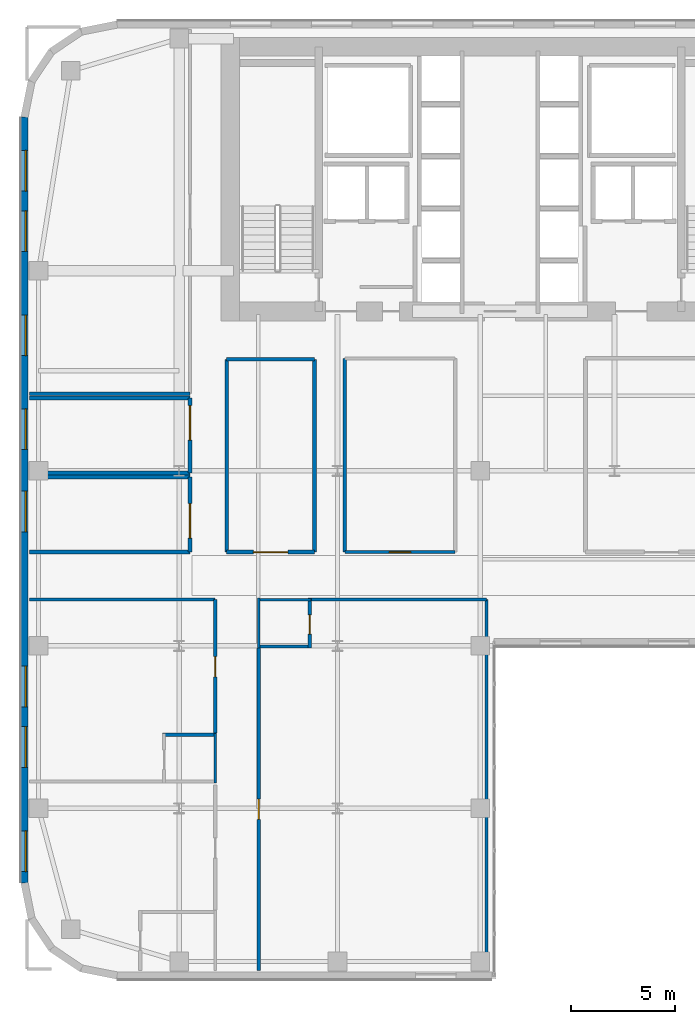
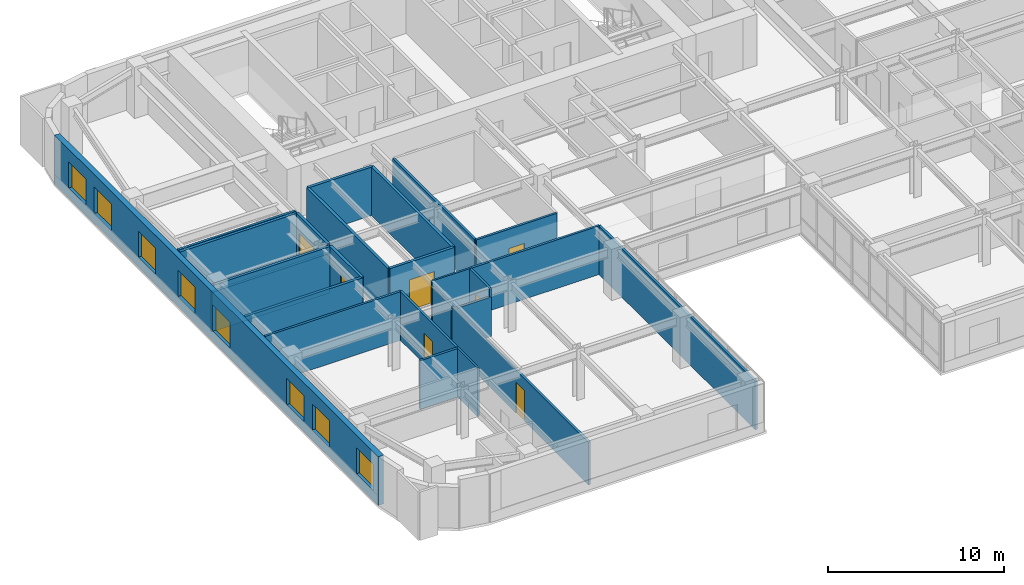
# One storey, part 14 of 24: 25 walls, 8 windows, 7 doors, 15 openings.
"""IFC4 building model written with IfcOpenShell, lengths in metres."""

from ifc_helpers import new_model, si_unit, direction, frame, frame_2d, origin, place, context, subcontext, project, spatial, rectangle, extrude, source, transform, mapped, material, layer, layer_set, type_object, type_shapes, element, fill, save


model = new_model("IFC4")

# Units and contexts
model_context = context("Model", 3, precision=1e-05, world=origin(), true_north=direction((0.0, 1.0)))
body_context = subcontext(model_context, "Body", "Model", "MODEL_VIEW")
ifc_project = project(units=[si_unit("LENGTHUNIT", "METRE"), si_unit("AREAUNIT", "SQUARE_METRE"), si_unit("VOLUMEUNIT", "CUBIC_METRE"), si_unit("PLANEANGLEUNIT", "RADIAN"), si_unit("MASSUNIT", "GRAM", prefix="KILO")], contexts=[model_context])

# Site, building, storey
site_placement = place(None, origin())
site = spatial("IfcSite", under=ifc_project, at=site_placement, CompositionType="ELEMENT")
building_placement = place(site_placement, origin())
building = spatial("IfcBuilding", under=site, at=building_placement, Name="Tolvann Quenvar Hotel", CompositionType="ELEMENT")
storey_placement = place(building_placement, frame((0.0, 0.0, 88.800048828125)))
storey = spatial("IfcBuildingStorey", under=building, at=storey_placement, Name="L22", CompositionType="ELEMENT", Elevation=88.800048828125)

# Wall, openings, windows
ifc_material_1 = material(Name="Kiln-fired red and buff architectural clay brickwork and terracotta masonry", Category="masonry")
ifc_layer_1 = layer(ifc_material_1, 0.35009765625)
ifc_layer_set_1 = layer_set([ifc_layer_1], Name="Kiln-fired red and buff architectural clay brickwork and terracotta masonry")
wall_type_1 = type_object("IfcWallType", Name="WALL_EXT_BRICK_350", PredefinedType="SOLIDWALL", material=ifc_layer_set_1)
wall_1_placement = place(storey_placement, frame((0.175048828125, 41.3828125, 0.0), z_axis=(0.0, 0.0, 1.0), x_axis=(0.0, -1.0, 0.0)))
wall_1 = element("IfcWall", 1, at=wall_1_placement, inside=storey, type_object=wall_type_1, Name="Exterior Chicago Brick Wall L22-E23", PredefinedType="SOLIDWALL", context=body_context, shape_type="SweptSolid", body=[
    extrude(rectangle(XDim=36.765625, YDim=0.35009765625, at=frame_2d((18.3828125, 0.0))), origin(), (0.0, 0.0, 1.0), 3.369873046875),
])
opening_1_placement = place(wall_1_placement, frame((1.60107421875, 0.0, 0.679931640625)))
opening_1 = element("IfcOpeningElement", 2, at=opening_1_placement, cuts=wall_1, Name="Opening W-10", PredefinedType="OPENING", context=body_context, shape_type="SweptSolid", body=[
    extrude(rectangle(XDim=1.949951171875, YDim=1.820068359375, at=frame_2d((0.97509765625, 0.91015625))), frame((0.0, 0.18505859375, 0.0), z_axis=(0.0, -1.0, 0.0), x_axis=(1.0, 0.0, 0.0)), (0.0, 0.0, 1.0), 0.3701171875),
])
opening_2_placement = place(wall_1_placement, frame((4.5029296875, 0.0, 0.679931640625)))
opening_2 = element("IfcOpeningElement", 3, at=opening_2_placement, cuts=wall_1, Name="Opening W-10", PredefinedType="OPENING", context=body_context, shape_type="SweptSolid", body=[
    extrude(rectangle(XDim=1.949951171875, YDim=1.820068359375, at=frame_2d((0.97509765625, 0.91015625))), frame((0.0, 0.18505859375, 0.0), z_axis=(0.0, -1.0, 0.0), x_axis=(1.0, 0.0, 0.0)), (0.0, 0.0, 1.0), 0.3701171875),
])
opening_3_placement = place(wall_1_placement, frame((9.50390625, 0.0, 0.679931640625)))
opening_3 = element("IfcOpeningElement", 4, at=opening_3_placement, cuts=wall_1, Name="Opening W-10", PredefinedType="OPENING", context=body_context, shape_type="SweptSolid", body=[
    extrude(rectangle(XDim=1.949951171875, YDim=1.820068359375, at=frame_2d((0.97509765625, 0.91015625))), frame((0.0, 0.18505859375, 0.0), z_axis=(0.0, -1.0, 0.0), x_axis=(1.0, 0.0, 0.0)), (0.0, 0.0, 1.0), 0.3701171875),
])
opening_4_placement = place(wall_1_placement, frame((14.006103515625, 0.0, 0.679931640625)))
opening_4 = element("IfcOpeningElement", 5, at=opening_4_placement, cuts=wall_1, Name="Opening W-10", PredefinedType="OPENING", context=body_context, shape_type="SweptSolid", body=[
    extrude(rectangle(XDim=1.949951171875, YDim=1.820068359375, at=frame_2d((0.97509765625, 0.91015625))), frame((0.0, 0.18505859375, 0.0), z_axis=(0.0, -1.0, 0.0), x_axis=(1.0, 0.0, 0.0)), (0.0, 0.0, 1.0), 0.3701171875),
])
opening_5_placement = place(wall_1_placement, frame((17.9580078125, 0.0, 0.679931640625)))
opening_5 = element("IfcOpeningElement", 6, at=opening_5_placement, cuts=wall_1, Name="Opening W-10", PredefinedType="OPENING", context=body_context, shape_type="SweptSolid", body=[
    extrude(rectangle(XDim=1.949951171875, YDim=1.820068359375, at=frame_2d((0.97509765625, 0.91015625))), frame((0.0, 0.18505859375, 0.0), z_axis=(0.0, -1.0, 0.0), x_axis=(1.0, 0.0, 0.0)), (0.0, 0.0, 1.0), 0.3701171875),
])
opening_6_placement = place(wall_1_placement, frame((26.361083984375, 0.0, 0.679931640625)))
opening_6 = element("IfcOpeningElement", 7, at=opening_6_placement, cuts=wall_1, Name="Opening W-10", PredefinedType="OPENING", context=body_context, shape_type="SweptSolid", body=[
    extrude(rectangle(XDim=1.949951171875, YDim=1.820068359375, at=frame_2d((0.97509765625, 0.91015625))), frame((0.0, 0.18505859375, 0.0), z_axis=(0.0, -1.0, 0.0), x_axis=(1.0, 0.0, 0.0)), (0.0, 0.0, 1.0), 0.3701171875),
])
opening_7_placement = place(wall_1_placement, frame((29.262939453125, 0.0, 0.679931640625)))
opening_7 = element("IfcOpeningElement", 8, at=opening_7_placement, cuts=wall_1, Name="Opening W-10", PredefinedType="OPENING", context=body_context, shape_type="SweptSolid", body=[
    extrude(rectangle(XDim=1.949951171875, YDim=1.820068359375, at=frame_2d((0.97509765625, 0.91015625))), frame((0.0, 0.18505859375, 0.0), z_axis=(0.0, -1.0, 0.0), x_axis=(1.0, 0.0, 0.0)), (0.0, 0.0, 1.0), 0.3701171875),
])
opening_8_placement = place(wall_1_placement, frame((34.264892578125, 0.0, 0.679931640625)))
opening_8 = element("IfcOpeningElement", 9, at=opening_8_placement, cuts=wall_1, Name="Opening W-10", PredefinedType="OPENING", context=body_context, shape_type="SweptSolid", body=[
    extrude(rectangle(XDim=1.949951171875, YDim=1.820068359375, at=frame_2d((0.97509765625, 0.91015625))), frame((0.0, 0.18505859375, 0.0), z_axis=(0.0, -1.0, 0.0), x_axis=(1.0, 0.0, 0.0)), (0.0, 0.0, 1.0), 0.3701171875),
])
ifc_material_2 = material(Name="Thermally broken bronze-anodised aluminium frame with double low-E glazing", Category="aluminium")
window_type = type_object("IfcWindowType", Name="WIN_CLB_1950x1850", PartitioningType="DOUBLE_PANEL_VERTICAL", PredefinedType="WINDOW", material=ifc_material_2)
shared_shape_1 = source(origin(), body_context, "Body", "SweptSolid", [
    extrude(rectangle(XDim=1.949951171875, YDim=1.820068359375, at=frame_2d((0.97509765625, 0.91015625))), frame((0.0, 0.090087890625, 0.0), z_axis=(0.0, -1.0, 0.0), x_axis=(1.0, 0.0, 0.0)), (0.0, 0.0, 1.0), 0.06005859375),
])
type_shapes(window_type, [shared_shape_1])
window_1_placement = place(opening_1_placement, origin())
window_1 = element("IfcWindow", 10, at=window_1_placement, inside=storey, type_object=window_type, Name="Chicago Window W-10 (EW-L22-E23-W01)", OverallHeight=1.820068359375, OverallWidth=1.949951171875, PartitioningType="DOUBLE_PANEL_VERTICAL", PredefinedType="WINDOW", context=body_context, shape_type="MappedRepresentation", body=[
    mapped(shared_shape_1, transform((0.0, 0.0, 0.0), x_axis=(1.0, 0.0, 0.0), y_axis=(0.0, 1.0, 0.0), z_axis=(0.0, 0.0, 1.0), scale=1.0)),
])
fill(opening_1, window_1)
window_2_placement = place(opening_2_placement, origin())
window_2 = element("IfcWindow", 11, at=window_2_placement, inside=storey, type_object=window_type, Name="Chicago Window W-10 (EW-L22-E23-W02)", OverallHeight=1.820068359375, OverallWidth=1.949951171875, PartitioningType="DOUBLE_PANEL_VERTICAL", PredefinedType="WINDOW", context=body_context, shape_type="MappedRepresentation", body=[
    mapped(shared_shape_1, transform((0.0, 0.0, 0.0), x_axis=(1.0, 0.0, 0.0), y_axis=(0.0, 1.0, 0.0), z_axis=(0.0, 0.0, 1.0), scale=1.0)),
])
fill(opening_2, window_2)
window_3_placement = place(opening_3_placement, origin())
window_3 = element("IfcWindow", 12, at=window_3_placement, inside=storey, type_object=window_type, Name="Chicago Window W-10 (EW-L22-E23-W03)", OverallHeight=1.820068359375, OverallWidth=1.949951171875, PartitioningType="DOUBLE_PANEL_VERTICAL", PredefinedType="WINDOW", context=body_context, shape_type="MappedRepresentation", body=[
    mapped(shared_shape_1, transform((0.0, 0.0, 0.0), x_axis=(1.0, 0.0, 0.0), y_axis=(0.0, 1.0, 0.0), z_axis=(0.0, 0.0, 1.0), scale=1.0)),
])
fill(opening_3, window_3)
window_4_placement = place(opening_4_placement, origin())
window_4 = element("IfcWindow", 13, at=window_4_placement, inside=storey, type_object=window_type, Name="Chicago Window W-10 (EW-L22-E23-W04)", OverallHeight=1.820068359375, OverallWidth=1.949951171875, PartitioningType="DOUBLE_PANEL_VERTICAL", PredefinedType="WINDOW", context=body_context, shape_type="MappedRepresentation", body=[
    mapped(shared_shape_1, transform((0.0, 0.0, 0.0), x_axis=(1.0, 0.0, 0.0), y_axis=(0.0, 1.0, 0.0), z_axis=(0.0, 0.0, 1.0), scale=1.0)),
])
fill(opening_4, window_4)
window_5_placement = place(opening_5_placement, origin())
window_5 = element("IfcWindow", 14, at=window_5_placement, inside=storey, type_object=window_type, Name="Chicago Window W-10 (EW-L22-E23-W05)", OverallHeight=1.820068359375, OverallWidth=1.949951171875, PartitioningType="DOUBLE_PANEL_VERTICAL", PredefinedType="WINDOW", context=body_context, shape_type="MappedRepresentation", body=[
    mapped(shared_shape_1, transform((0.0, 0.0, 0.0), x_axis=(1.0, 0.0, 0.0), y_axis=(0.0, 1.0, 0.0), z_axis=(0.0, 0.0, 1.0), scale=1.0)),
])
fill(opening_5, window_5)
window_6_placement = place(opening_6_placement, origin())
window_6 = element("IfcWindow", 15, at=window_6_placement, inside=storey, type_object=window_type, Name="Chicago Window W-10 (EW-L22-E23-W06)", OverallHeight=1.820068359375, OverallWidth=1.949951171875, PartitioningType="DOUBLE_PANEL_VERTICAL", PredefinedType="WINDOW", context=body_context, shape_type="MappedRepresentation", body=[
    mapped(shared_shape_1, transform((0.0, 0.0, 0.0), x_axis=(1.0, 0.0, 0.0), y_axis=(0.0, 1.0, 0.0), z_axis=(0.0, 0.0, 1.0), scale=1.0)),
])
fill(opening_6, window_6)
window_7_placement = place(opening_7_placement, origin())
window_7 = element("IfcWindow", 16, at=window_7_placement, inside=storey, type_object=window_type, Name="Chicago Window W-10 (EW-L22-E23-W07)", OverallHeight=1.820068359375, OverallWidth=1.949951171875, PartitioningType="DOUBLE_PANEL_VERTICAL", PredefinedType="WINDOW", context=body_context, shape_type="MappedRepresentation", body=[
    mapped(shared_shape_1, transform((0.0, 0.0, 0.0), x_axis=(1.0, 0.0, 0.0), y_axis=(0.0, 1.0, 0.0), z_axis=(0.0, 0.0, 1.0), scale=1.0)),
])
fill(opening_7, window_7)
window_8_placement = place(opening_8_placement, origin())
window_8 = element("IfcWindow", 17, at=window_8_placement, inside=storey, type_object=window_type, Name="Chicago Window W-10 (EW-L22-E23-W08)", OverallHeight=1.820068359375, OverallWidth=1.949951171875, PartitioningType="DOUBLE_PANEL_VERTICAL", PredefinedType="WINDOW", context=body_context, shape_type="MappedRepresentation", body=[
    mapped(shared_shape_1, transform((0.0, 0.0, 0.0), x_axis=(1.0, 0.0, 0.0), y_axis=(0.0, 1.0, 0.0), z_axis=(0.0, 0.0, 1.0), scale=1.0)),
])
fill(opening_8, window_8)

# Walls
ifc_material_3 = material(Name="Acoustic twin-stud fire-rated gypsum plasterboard partition")
ifc_layer_2 = layer(ifc_material_3, 0.179931640625)
ifc_layer_set_2 = layer_set([ifc_layer_2], Name="Acoustic twin-stud fire-rated gypsum plasterboard partition")
wall_type_2 = type_object("IfcWallType", Name="WALL_PART_ACOUSTIC_180", PredefinedType="PARTITIONING", material=ifc_layer_set_2)
for number, where, z_axis, x_axis, name in (
    (18, (0.405029296875, 20.5, 0.0), (0.0, 0.0, 1.0), (1.0, 0.0, 0.0), "Interior Partition PT-SPC-L22-SAL-S"),
    (19, (0.405029296875, 24.10009765625, 0.0), (0.0, 0.0, 1.0), (1.0, 0.0, 0.0), "Interior Partition PT-SPC-L22-SAL-N"),
):
    element("IfcWall", number, at=place(storey_placement, frame(where, z_axis=z_axis, x_axis=x_axis)), inside=storey, type_object=wall_type_2, Name=name, PredefinedType="PARTITIONING", context=body_context, shape_type="SweptSolid", body=[
        extrude(rectangle(XDim=7.715087890625, YDim=0.179931640625, at=frame_2d((3.857421875, 0.0))), origin(), (0.0, 0.0, 1.0), 3.369873046875),
    ])

# Wall, opening, door
wall_2_placement = place(storey_placement, frame((8.1201171875, 20.5, 0.0), z_axis=(0.0, 0.0, 1.0), x_axis=(0.0, 1.0, 0.0)))
wall_2 = element("IfcWall", 20, at=wall_2_placement, inside=storey, type_object=wall_type_2, Name="Interior Partition PT-SPC-L22-SAL-E", PredefinedType="PARTITIONING", context=body_context, shape_type="SweptSolid", body=[
    extrude(rectangle(XDim=3.60009765625, YDim=0.179931640625, at=frame_2d((1.800048828125, 0.0))), origin(), (0.0, 0.0, 1.0), 3.369873046875),
])
opening_9_placement = place(wall_2_placement, frame((0.675048828125, 0.0, 0.0)))
opening_9 = element("IfcOpeningElement", 21, at=opening_9_placement, cuts=wall_2, Name="Opening AD-01", PredefinedType="OPENING", context=body_context, shape_type="SweptSolid", body=[
    extrude(rectangle(XDim=1.64990234375, YDim=2.14990234375, at=frame_2d((0.824951171875, 1.074951171875))), frame((0.0, 0.10009765625, 0.0), z_axis=(0.0, -1.0, 0.0), x_axis=(1.0, 0.0, 0.0)), (0.0, 0.0, 1.0), 0.199951171875),
])
ifc_material_4 = material(Name="Solid-core American oak acoustic fire door leaf in steel frame", Category="steel")
door_type_1 = type_object("IfcDoorType", Name="DOOR_SALON_1650", OperationType="NOTDEFINED", PredefinedType="DOOR", material=ifc_material_4)
shared_shape_2 = source(origin(), body_context, "Body", "SweptSolid", [
    extrude(rectangle(XDim=1.64990234375, YDim=2.14990234375, at=frame_2d((0.824951171875, 1.074951171875))), frame((0.0, 0.02490234375, 0.0), z_axis=(0.0, -1.0, 0.0), x_axis=(1.0, 0.0, 0.0)), (0.0, 0.0, 1.0), 0.050048828125),
])
type_shapes(door_type_1, [shared_shape_2])
door_1_placement = place(opening_9_placement, origin())
door_1 = element("IfcDoor", 22, at=door_1_placement, inside=storey, type_object=door_type_1, Name="Interior Door DOOR-SPC-L22-SAL", OperationType="DOUBLE_DOOR_SINGLE_SWING", OverallHeight=2.14990234375, OverallWidth=1.64990234375, PredefinedType="DOOR", context=body_context, shape_type="MappedRepresentation", body=[
    mapped(shared_shape_2, transform((0.0, 0.0, 0.0), x_axis=(1.0, 0.0, 0.0), y_axis=(0.0, 1.0, 0.0), z_axis=(0.0, 0.0, 1.0), scale=1.0)),
])
fill(opening_9, door_1)

# Walls
wall_3_placement = place(storey_placement, frame((0.405029296875, 24.300048828125, 0.0), z_axis=(0.0, 0.0, 1.0), x_axis=(1.0, 0.0, 0.0)))
element("IfcWall", 23, at=wall_3_placement, inside=storey, type_object=wall_type_2, Name="Interior Partition PT-SPC-L22-MTG-S", PredefinedType="PARTITIONING", context=body_context, shape_type="SweptSolid", body=[
    extrude(rectangle(XDim=7.715087890625, YDim=0.179931640625, at=frame_2d((3.857421875, 0.0))), origin(), (0.0, 0.0, 1.0), 2.748046875),
])
wall_4_placement = place(storey_placement, frame((0.405029296875, 27.89990234375, 0.0), z_axis=(0.0, 0.0, 1.0), x_axis=(1.0, 0.0, 0.0)))
element("IfcWall", 24, at=wall_4_placement, inside=storey, type_object=wall_type_2, Name="Interior Partition PT-SPC-L22-MTG-N", PredefinedType="PARTITIONING", context=body_context, shape_type="SweptSolid", body=[
    extrude(rectangle(XDim=7.715087890625, YDim=0.179931640625, at=frame_2d((3.857421875, 0.0))), origin(), (0.0, 0.0, 1.0), 3.369873046875),
])

# Wall, opening, door
wall_5_placement = place(storey_placement, frame((8.1201171875, 24.300048828125, 0.0), z_axis=(0.0, 0.0, 1.0), x_axis=(0.0, 1.0, 0.0)))
wall_5 = element("IfcWall", 25, at=wall_5_placement, inside=storey, type_object=wall_type_2, Name="Interior Partition PT-SPC-L22-MTG-E", PredefinedType="PARTITIONING", context=body_context, shape_type="SweptSolid", body=[
    extrude(rectangle(XDim=3.599853515625, YDim=0.179931640625, at=frame_2d((1.7998046875, 0.0))), origin(), (0.0, 0.0, 1.0), 3.369873046875),
])
opening_10_placement = place(wall_5_placement, frame((1.574951171875, 0.0, 0.0)))
opening_10 = element("IfcOpeningElement", 26, at=opening_10_placement, cuts=wall_5, Name="Opening AD-01", PredefinedType="OPENING", context=body_context, shape_type="SweptSolid", body=[
    extrude(rectangle(XDim=1.64990234375, YDim=2.14990234375, at=frame_2d((0.824951171875, 1.074951171875))), frame((0.0, 0.10009765625, 0.0), z_axis=(0.0, -1.0, 0.0), x_axis=(1.0, 0.0, 0.0)), (0.0, 0.0, 1.0), 0.199951171875),
])
door_2_placement = place(opening_10_placement, origin())
door_2 = element("IfcDoor", 27, at=door_2_placement, inside=storey, type_object=door_type_1, Name="Interior Door DOOR-SPC-L22-MTG", OperationType="DOUBLE_DOOR_SINGLE_SWING", OverallHeight=2.14990234375, OverallWidth=1.64990234375, PredefinedType="DOOR", context=body_context, shape_type="MappedRepresentation", body=[
    mapped(shared_shape_2, transform((0.0, 0.0, 0.0), x_axis=(1.0, 0.0, 0.0), y_axis=(0.0, 1.0, 0.0), z_axis=(0.0, 0.0, 1.0), scale=1.0)),
])
fill(opening_10, door_2)

wall_6_placement = place(storey_placement, frame((9.8798828125, 20.5, 0.0), z_axis=(0.0, 0.0, 1.0), x_axis=(1.0, 0.0, 0.0)))
wall_6 = element("IfcWall", 28, at=wall_6_placement, inside=storey, type_object=wall_type_2, Name="Interior Partition PT-SPC-L22-MSP-W-S", PredefinedType="PARTITIONING", context=body_context, shape_type="SweptSolid", body=[
    extrude(rectangle(XDim=4.22021484375, YDim=0.179931640625, at=frame_2d((2.110107421875, 0.0))), origin(), (0.0, 0.0, 1.0), 3.369873046875),
])
opening_11_placement = place(wall_6_placement, frame((1.284912109375, 0.0, 0.0)))
opening_11 = element("IfcOpeningElement", 29, at=opening_11_placement, cuts=wall_6, Name="Opening AD-01", PredefinedType="OPENING", context=body_context, shape_type="SweptSolid", body=[
    extrude(rectangle(XDim=1.64990234375, YDim=2.14990234375, at=frame_2d((0.824951171875, 1.074951171875))), frame((0.0, 0.10009765625, 0.0), z_axis=(0.0, -1.0, 0.0), x_axis=(1.0, 0.0, 0.0)), (0.0, 0.0, 1.0), 0.199951171875),
])
door_3_placement = place(opening_11_placement, origin())
door_3 = element("IfcDoor", 30, at=door_3_placement, inside=storey, type_object=door_type_1, Name="Interior Door DOOR-SPC-L22-MSP-W", OperationType="DOUBLE_DOOR_SINGLE_SWING", OverallHeight=2.14990234375, OverallWidth=1.64990234375, PredefinedType="DOOR", context=body_context, shape_type="MappedRepresentation", body=[
    mapped(shared_shape_2, transform((0.0, 0.0, 0.0), x_axis=(1.0, 0.0, 0.0), y_axis=(0.0, 1.0, 0.0), z_axis=(0.0, 0.0, 1.0), scale=1.0)),
])
fill(opening_11, door_3)

# Walls
wall_7_placement = place(storey_placement, frame((9.8798828125, 29.75, 0.0), z_axis=(0.0, 0.0, 1.0), x_axis=(1.0, 0.0, 0.0)))
element("IfcWall", 31, at=wall_7_placement, inside=storey, type_object=wall_type_2, Name="Interior Partition PT-SPC-L22-MSP-W-N", PredefinedType="PARTITIONING", context=body_context, shape_type="SweptSolid", body=[
    extrude(rectangle(XDim=4.22021484375, YDim=0.179931640625, at=frame_2d((2.110107421875, 0.0))), origin(), (0.0, 0.0, 1.0), 3.369873046875),
])
for number, where, z_axis, x_axis, name in (
    (32, (9.8798828125, 20.5, 0.0), (0.0, 0.0, 1.0), (0.0, 1.0, 0.0), "Interior Partition PT-SPC-L22-MSP-W-W"),
    (33, (14.10009765625, 20.5, 0.0), (0.0, 0.0, 1.0), (0.0, 1.0, 0.0), "Interior Partition PT-SPC-L22-MSP-W-E"),
):
    element("IfcWall", number, at=place(storey_placement, frame(where, z_axis=z_axis, x_axis=x_axis)), inside=storey, type_object=wall_type_2, Name=name, PredefinedType="PARTITIONING", context=body_context, shape_type="SweptSolid", body=[
        extrude(rectangle(XDim=9.25, YDim=0.179931640625, at=frame_2d((4.625, 0.0))), origin(), (0.0, 0.0, 1.0), 3.369873046875),
    ])
ifc_material_5 = material(Name="Moisture-resistant acoustic plumbing wall assembly")
ifc_layer_3 = layer(ifc_material_5, 0.1201171875)
ifc_layer_set_3 = layer_set([ifc_layer_3], Name="Moisture-resistant acoustic plumbing wall assembly")
wall_type_3 = type_object("IfcWallType", Name="WALL_PART_BATH_120", PredefinedType="PLUMBINGWALL", material=ifc_layer_set_3)
wall_8_placement = place(storey_placement, frame((9.330078125, 9.409912109375, 0.0), z_axis=(0.0, 0.0, 1.0), x_axis=(0.0, 1.0, 0.0)))
element("IfcWall", 34, at=wall_8_placement, inside=storey, type_object=wall_type_3, Name="Non-Rated Plumbing Partition PT-SPC-L22-ENS-WO02-E", PredefinedType="PLUMBINGWALL", context=body_context, shape_type="SweptSolid", body=[
    extrude(rectangle(XDim=2.39013671875, YDim=0.1201171875, at=frame_2d((1.195068359375, 0.0))), origin(), (0.0, 0.0, 1.0), 3.369873046875),
])
wall_9_placement = place(storey_placement, frame((11.35009765625, 18.219970703125, 0.0), z_axis=(0.0, 0.0, 1.0), x_axis=(1.0, 0.0, 0.0)))
element("IfcWall", 35, at=wall_9_placement, inside=storey, type_object=wall_type_3, Name="Non-Rated Plumbing Partition PT-SPC-L22-ENS-WI01-N", PredefinedType="PLUMBINGWALL", context=body_context, shape_type="SweptSolid", body=[
    extrude(rectangle(XDim=2.58984375, YDim=0.1201171875, at=frame_2d((1.294921875, 0.0))), origin(), (0.0, 0.0, 1.0), 3.369873046875),
])
wall_10_placement = place(storey_placement, frame((11.419921875, 15.89990234375, 0.0), z_axis=(0.0, 0.0, 1.0), x_axis=(0.0, 1.0, 0.0)))
element("IfcWall", 36, at=wall_10_placement, inside=storey, type_object=wall_type_3, Name="Non-Rated Plumbing Partition PT-SPC-L22-ENS-WI01-W", PredefinedType="PLUMBINGWALL", context=body_context, shape_type="SweptSolid", body=[
    extrude(rectangle(XDim=2.39013671875, YDim=0.1201171875, at=frame_2d((1.195068359375, 0.0))), origin(), (0.0, 0.0, 1.0), 2.953857421875),
])
ifc_layer_4 = layer(ifc_material_3, 0.14990234375)
ifc_layer_set_4 = layer_set([ifc_layer_4], Name="Acoustic twin-stud fire-rated gypsum plasterboard partition")
wall_type_4 = type_object("IfcWallType", Name="WALL_PART_SUITE_150", PredefinedType="PARTITIONING", material=ifc_layer_set_4)
wall_11_placement = place(storey_placement, frame((6.81005859375, 11.72998046875, 0.0), z_axis=(0.0, 0.0, 1.0), x_axis=(1.0, 0.0, 0.0)))
element("IfcWall", 37, at=wall_11_placement, inside=storey, type_object=wall_type_4, Name="Interior Partition PT-SPC-L22-ENS-WO02-N", PredefinedType="PARTITIONING", context=body_context, shape_type="SweptSolid", body=[
    extrude(rectangle(XDim=2.58984375, YDim=0.14990234375, at=frame_2d((1.294921875, 0.0))), origin(), (0.0, 0.0, 1.0), 3.369873046875),
])

# Wall, opening, door
wall_12_placement = place(storey_placement, frame((13.8701171875, 15.89990234375, 0.0), z_axis=(0.0, 0.0, 1.0), x_axis=(0.0, 1.0, 0.0)))
wall_12 = element("IfcWall", 38, at=wall_12_placement, inside=storey, type_object=wall_type_4, Name="Interior Partition PT-SPC-L22-ENS-WI01-ENT", PredefinedType="PARTITIONING", context=body_context, shape_type="SweptSolid", body=[
    extrude(rectangle(XDim=2.39013671875, YDim=0.14990234375, at=frame_2d((1.195068359375, 0.0))), origin(), (0.0, 0.0, 1.0), 3.369873046875),
])
opening_12_placement = place(wall_12_placement, frame((0.6650390625, 0.0, 0.0)))
opening_12 = element("IfcOpeningElement", 39, at=opening_12_placement, cuts=wall_12, Name="Opening WD-01", PredefinedType="OPENING", context=body_context, shape_type="SweptSolid", body=[
    extrude(rectangle(XDim=0.919921875, YDim=2.010009765625, at=frame_2d((0.4599609375, 1.0048828125))), frame((0.0, 0.0849609375, 0.0), z_axis=(0.0, -1.0, 0.0), x_axis=(1.0, 0.0, 0.0)), (0.0, 0.0, 1.0), 0.169921875),
])
door_type_2 = type_object("IfcDoorType", Name="DOOR_WC_920", OperationType="NOTDEFINED", PredefinedType="DOOR", material=ifc_material_4)
shared_shape_3 = source(origin(), body_context, "Body", "SweptSolid", [
    extrude(rectangle(XDim=0.919921875, YDim=2.010009765625, at=frame_2d((0.4599609375, 1.0048828125))), frame((0.0, 0.02490234375, 0.0), z_axis=(0.0, -1.0, 0.0), x_axis=(1.0, 0.0, 0.0)), (0.0, 0.0, 1.0), 0.050048828125),
])
type_shapes(door_type_2, [shared_shape_3])
door_4_placement = place(opening_12_placement, origin())
door_4 = element("IfcDoor", 40, at=door_4_placement, inside=storey, type_object=door_type_2, Name="Interior Door DOOR-SPC-L22-ENS-WI01", OperationType="SINGLE_SWING_RIGHT", OverallHeight=2.010009765625, OverallWidth=0.919921875, PredefinedType="DOOR", context=body_context, shape_type="MappedRepresentation", body=[
    mapped(shared_shape_3, transform((0.0, 0.0, 0.0), x_axis=(1.0, 0.0, 0.0), y_axis=(0.0, 1.0, 0.0), z_axis=(0.0, 0.0, 1.0), scale=1.0)),
])
fill(opening_12, door_4)

# Wall
wall_13_placement = place(storey_placement, frame((11.35009765625, 15.969970703125, 0.0), z_axis=(0.0, 0.0, 1.0), x_axis=(1.0, 0.0, 0.0)))
element("IfcWall", 41, at=wall_13_placement, inside=storey, type_object=wall_type_4, Name="Interior Partition PT-SPC-L22-ENS-WI01-S", PredefinedType="PARTITIONING", context=body_context, shape_type="SweptSolid", body=[
    extrude(rectangle(XDim=2.58984375, YDim=0.14990234375, at=frame_2d((1.294921875, 0.0))), origin(), (0.0, 0.0, 1.0), 2.748046875),
])

# Wall, opening, door
wall_14_placement = place(storey_placement, frame((9.330078125, 11.81005859375, 0.0), z_axis=(0.0, 0.0, 1.0), x_axis=(0.0, 1.0, 0.0)))
wall_14 = element("IfcWall", 42, at=wall_14_placement, inside=storey, type_object=wall_type_4, Name="Interior Partition PT-SPC-L22-RM-WO02-ENT", PredefinedType="PARTITIONING", context=body_context, shape_type="SweptSolid", body=[
    extrude(rectangle(XDim=6.409912109375, YDim=0.14990234375, at=frame_2d((3.205078125, 0.0))), origin(), (0.0, 0.0, 1.0), 3.369873046875),
])
opening_13_placement = place(wall_14_placement, frame((2.695068359375, 0.0, 0.0)))
opening_13 = element("IfcOpeningElement", 43, at=opening_13_placement, cuts=wall_14, Name="Opening SD-01", PredefinedType="OPENING", context=body_context, shape_type="SweptSolid", body=[
    extrude(rectangle(XDim=0.97998046875, YDim=2.1201171875, at=frame_2d((0.489990234375, 1.06005859375))), frame((0.0, 0.0849609375, 0.0), z_axis=(0.0, -1.0, 0.0), x_axis=(1.0, 0.0, 0.0)), (0.0, 0.0, 1.0), 0.169921875),
])
door_type_3 = type_object("IfcDoorType", Name="DOOR_SUITE_980", OperationType="NOTDEFINED", PredefinedType="DOOR", material=ifc_material_4)
shared_shape_4 = source(origin(), body_context, "Body", "SweptSolid", [
    extrude(rectangle(XDim=0.97998046875, YDim=2.1201171875, at=frame_2d((0.489990234375, 1.06005859375))), frame((0.0, 0.02490234375, 0.0), z_axis=(0.0, -1.0, 0.0), x_axis=(1.0, 0.0, 0.0)), (0.0, 0.0, 1.0), 0.050048828125),
])
type_shapes(door_type_3, [shared_shape_4])
door_5_placement = place(opening_13_placement, origin())
door_5 = element("IfcDoor", 44, at=door_5_placement, inside=storey, type_object=door_type_3, Name="Interior Door DOOR-SPC-L22-RM-WO02", OperationType="SINGLE_SWING_LEFT", OverallHeight=2.1201171875, OverallWidth=0.97998046875, PredefinedType="DOOR", context=body_context, shape_type="MappedRepresentation", body=[
    mapped(shared_shape_4, transform((0.0, 0.0, 0.0), x_axis=(1.0, 0.0, 0.0), y_axis=(0.0, 1.0, 0.0), z_axis=(0.0, 0.0, 1.0), scale=1.0)),
])
fill(opening_13, door_5)

# Wall
wall_15_placement = place(storey_placement, frame((0.405029296875, 18.219970703125, 0.0), z_axis=(0.0, 0.0, 1.0), x_axis=(1.0, 0.0, 0.0)))
element("IfcWall", 45, at=wall_15_placement, inside=storey, type_object=wall_type_4, Name="Interior Partition PT-SPC-L22-RM-WO02-E5", PredefinedType="PARTITIONING", context=body_context, shape_type="SweptSolid", body=[
    extrude(rectangle(XDim=8.925048828125, YDim=0.14990234375, at=frame_2d((4.46240234375, 0.0))), origin(), (0.0, 0.0, 1.0), 3.369873046875),
])

# Wall, opening, door
wall_16_placement = place(storey_placement, frame((11.419921875, 0.405029296875, 0.0), z_axis=(0.0, 0.0, 1.0), x_axis=(0.0, 1.0, 0.0)))
wall_16 = element("IfcWall", 46, at=wall_16_placement, inside=storey, type_object=wall_type_4, Name="Interior Partition PT-SPC-L22-RM-WI01-ENT", PredefinedType="PARTITIONING", context=body_context, shape_type="SweptSolid", body=[
    extrude(rectangle(XDim=15.48486328125, YDim=0.14990234375, at=frame_2d((7.742431640625, 0.0))), origin(), (0.0, 0.0, 1.0), 2.953857421875),
])
opening_14_placement = place(wall_16_placement, frame((7.260009765625, 0.0, 0.0)))
opening_14 = element("IfcOpeningElement", 47, at=opening_14_placement, cuts=wall_16, Name="Opening SD-01", PredefinedType="OPENING", context=body_context, shape_type="SweptSolid", body=[
    extrude(rectangle(XDim=0.97998046875, YDim=2.1201171875, at=frame_2d((0.489990234375, 1.06005859375))), frame((0.0, 0.0849609375, 0.0), z_axis=(0.0, -1.0, 0.0), x_axis=(1.0, 0.0, 0.0)), (0.0, 0.0, 1.0), 0.169921875),
])
door_6_placement = place(opening_14_placement, origin())
door_6 = element("IfcDoor", 48, at=door_6_placement, inside=storey, type_object=door_type_3, Name="Interior Door DOOR-SPC-L22-RM-WI01", OperationType="SINGLE_SWING_RIGHT", OverallHeight=2.1201171875, OverallWidth=0.97998046875, PredefinedType="DOOR", context=body_context, shape_type="MappedRepresentation", body=[
    mapped(shared_shape_4, transform((0.0, 0.0, 0.0), x_axis=(1.0, 0.0, 0.0), y_axis=(0.0, 1.0, 0.0), z_axis=(0.0, 0.0, 1.0), scale=1.0)),
])
fill(opening_14, door_6)

# Walls
wall_17_placement = place(storey_placement, frame((22.35009765625, 0.405029296875, 0.0), z_axis=(0.0, 0.0, 1.0), x_axis=(0.0, 1.0, 0.0)))
element("IfcWall", 49, at=wall_17_placement, inside=storey, type_object=wall_type_4, Name="Interior Partition PT-SPC-L22-RM-WI01-E2", PredefinedType="PARTITIONING", context=body_context, shape_type="SweptSolid", body=[
    extrude(rectangle(XDim=17.81494140625, YDim=0.14990234375, at=frame_2d((8.907470703125, 0.0))), origin(), (0.0, 0.0, 1.0), 3.369873046875),
])
wall_18_placement = place(storey_placement, frame((13.889892578125, 18.219970703125, 0.0), z_axis=(0.0, 0.0, 1.0), x_axis=(1.0, 0.0, 0.0)))
element("IfcWall", 50, at=wall_18_placement, inside=storey, type_object=wall_type_4, Name="Interior Partition PT-SPC-L22-RM-WI01-E3", PredefinedType="PARTITIONING", context=body_context, shape_type="SweptSolid", body=[
    extrude(rectangle(XDim=8.460205078125, YDim=0.14990234375, at=frame_2d((4.22998046875, 0.0))), origin(), (0.0, 0.0, 1.0), 3.369873046875),
])
wall_19_placement = place(storey_placement, frame((0.405029296875, 28.10009765625, 0.0), z_axis=(0.0, 0.0, 1.0), x_axis=(1.0, 0.0, 0.0)))
element("IfcWall", 51, at=wall_19_placement, inside=storey, type_object=wall_type_4, Name="Interior Partition PT-SPC-L22-TEA-S", PredefinedType="PARTITIONING", context=body_context, shape_type="SweptSolid", body=[
    extrude(rectangle(XDim=7.715087890625, YDim=0.14990234375, at=frame_2d((3.857421875, 0.0))), origin(), (0.0, 0.0, 1.0), 3.369873046875),
])

# Wall, opening, door
wall_20_placement = place(storey_placement, frame((15.550048828125, 20.5, 0.0), z_axis=(0.0, 0.0, 1.0), x_axis=(1.0, 0.0, 0.0)))
wall_20 = element("IfcWall", 52, at=wall_20_placement, inside=storey, type_object=wall_type_4, Name="Interior Partition PT-SPC-L22-MSP-N-S", PredefinedType="PARTITIONING", context=body_context, shape_type="SweptSolid", body=[
    extrude(rectangle(XDim=5.300048828125, YDim=0.14990234375, at=frame_2d((2.64990234375, 0.0))), origin(), (0.0, 0.0, 1.0), 3.369873046875),
])
opening_15_placement = place(wall_20_placement, frame((2.139892578125, 0.0, 0.0)))
opening_15 = element("IfcOpeningElement", 53, at=opening_15_placement, cuts=wall_20, Name="Opening HD-01", PredefinedType="OPENING", context=body_context, shape_type="SweptSolid", body=[
    extrude(rectangle(XDim=1.02001953125, YDim=2.030029296875, at=frame_2d((0.510009765625, 1.01513671875))), frame((0.0, 0.0849609375, 0.0), z_axis=(0.0, -1.0, 0.0), x_axis=(1.0, 0.0, 0.0)), (0.0, 0.0, 1.0), 0.169921875),
])
ifc_material_6 = material(Name="Pressed galvanised steel fire-rated door set", Category="steel")
door_type_4 = type_object("IfcDoorType", Name="DOOR_BOH_1020", OperationType="NOTDEFINED", PredefinedType="DOOR", material=ifc_material_6)
shared_shape_5 = source(origin(), body_context, "Body", "SweptSolid", [
    extrude(rectangle(XDim=1.02001953125, YDim=2.030029296875, at=frame_2d((0.510009765625, 1.01513671875))), frame((0.0, 0.02490234375, 0.0), z_axis=(0.0, -1.0, 0.0), x_axis=(1.0, 0.0, 0.0)), (0.0, 0.0, 1.0), 0.050048828125),
])
type_shapes(door_type_4, [shared_shape_5])
door_7_placement = place(opening_15_placement, origin())
door_7 = element("IfcDoor", 54, at=door_7_placement, inside=storey, type_object=door_type_4, Name="Interior Door DOOR-SPC-L22-MSP-N", OperationType="SINGLE_SWING_LEFT", OverallHeight=2.030029296875, OverallWidth=1.02001953125, PredefinedType="DOOR", context=body_context, shape_type="MappedRepresentation", body=[
    mapped(shared_shape_5, transform((0.0, 0.0, 0.0), x_axis=(1.0, 0.0, 0.0), y_axis=(0.0, 1.0, 0.0), z_axis=(0.0, 0.0, 1.0), scale=1.0)),
])
fill(opening_15, door_7)

# Wall
wall_21_placement = place(storey_placement, frame((15.550048828125, 20.5, 0.0), z_axis=(0.0, 0.0, 1.0), x_axis=(0.0, 1.0, 0.0)))
element("IfcWall", 55, at=wall_21_placement, inside=storey, type_object=wall_type_4, Name="Interior Partition PT-SPC-L22-MSP-N-W", PredefinedType="PARTITIONING", context=body_context, shape_type="SweptSolid", body=[
    extrude(rectangle(XDim=9.300048828125, YDim=0.14990234375, at=frame_2d((4.64990234375, 0.0))), origin(), (0.0, 0.0, 1.0), 3.369873046875),
])

save(model, "model.ifc")
